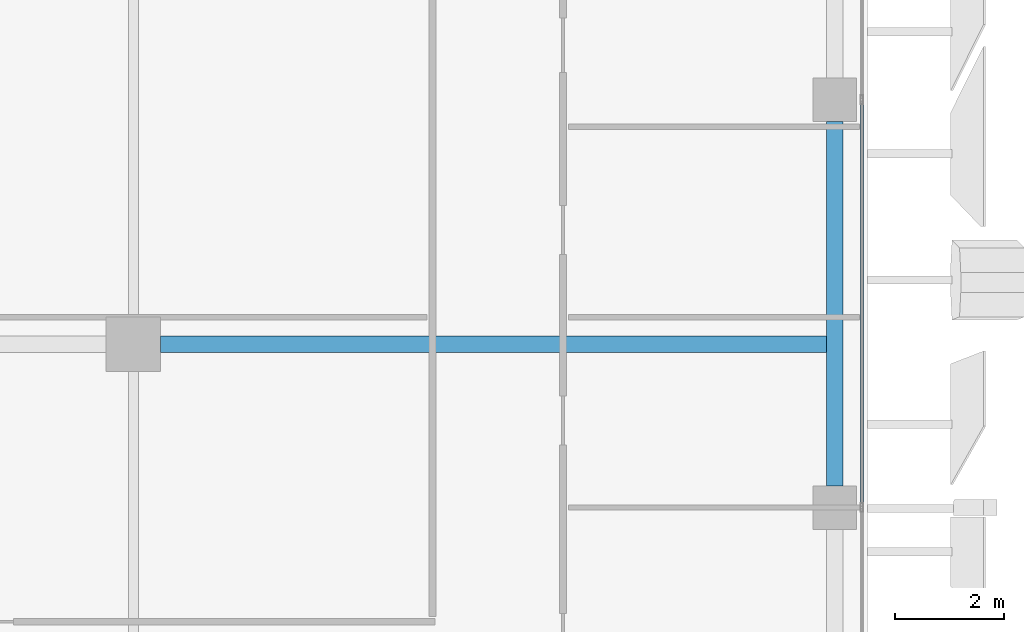
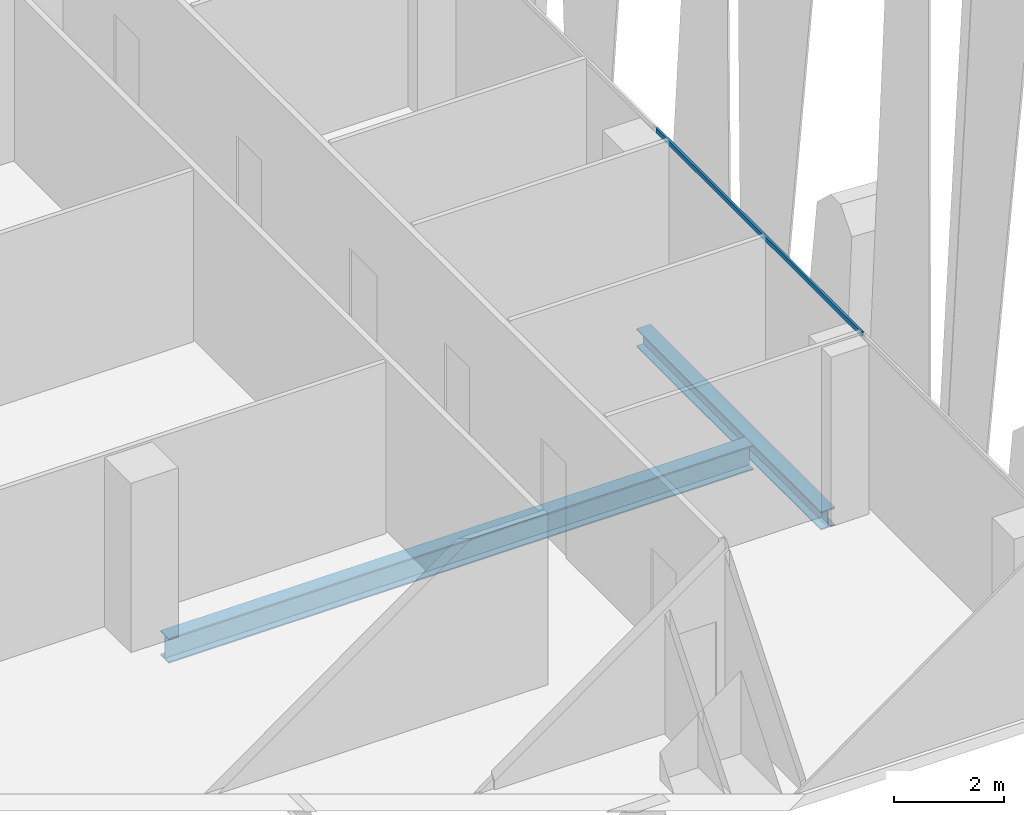
# One storey, part 10 of 33: 2 beams, 1 member, 1 element without a shape of its own.
"""IFC4 building model written with IfcOpenShell, lengths in metres."""

from ifc_helpers import new_model, si_unit, direction, frame, origin, origin_2d, place, context, subcontext, project, spatial, hollow_rectangle, i_section, extrude, source, transform, mapped, material, material_profile, profile_set, type_object, element, aggregate, save


model = new_model("IFC4")

# Units and contexts
model_context = context("Model", 3, precision=1e-05, world=origin(), true_north=direction((0.0, 1.0)))
body_context = subcontext(model_context, "Body", "Model", "MODEL_VIEW")
ifc_project = project(units=[si_unit("LENGTHUNIT", "METRE"), si_unit("AREAUNIT", "SQUARE_METRE"), si_unit("VOLUMEUNIT", "CUBIC_METRE"), si_unit("PLANEANGLEUNIT", "RADIAN"), si_unit("MASSUNIT", "GRAM", prefix="KILO")], contexts=[model_context])

# Site, building, storey
site_placement = place(None, origin())
site = spatial("IfcSite", under=ifc_project, at=site_placement, CompositionType="ELEMENT")
building_placement = place(site_placement, origin())
building = spatial("IfcBuilding", under=site, at=building_placement, Name="Khomas Fold Tower", CompositionType="ELEMENT")
storey_placement = place(building_placement, frame((0.0, 0.0, 294.199951171875)))
storey = spatial("IfcBuildingStorey", under=building, at=storey_placement, Name="L66", CompositionType="ELEMENT", Elevation=294.199951171875)

# Beams
ifc_material_1 = material(Name="Steel S355", Category="steel")
ifc_material_profile_1 = material_profile(ifc_material_1, i_section(OverallWidth=0.300048828125, OverallDepth=0.39990234375, WebThickness=0.013427734375, FlangeThickness=0.02392578125, at=origin_2d()), Name="HE 400 B")
ifc_profile_set_1 = profile_set([ifc_material_profile_1], Name="Steel S355")
beam_type_1 = type_object("IfcBeamType", Name="HE 400 B spandrel SB5", PredefinedType="SPANDREL", material=ifc_profile_set_1)
shared_shape_1 = source(origin(), body_context, "Body", "SweptSolid", [
    extrude(i_section(OverallWidth=0.300048828125, OverallDepth=0.39990234375, WebThickness=0.013427734375, FlangeThickness=0.02392578125, at=origin_2d()), origin(), (0.0, 0.0, 1.0), 6.7001953125),
])
beam_1_placement = place(storey_placement, frame((47.39990234375, 19.89990234375, -0.449951171875), z_axis=(0.0, 1.0, 0.0), x_axis=(-1.0, 0.0, 0.0)))
element("IfcBeam", 1, at=beam_1_placement, inside=storey, type_object=beam_type_1, Name="SB5", PredefinedType="SPANDREL", context=body_context, shape_type="MappedRepresentation", body=[
    mapped(shared_shape_1, transform((0.0, 0.0, 0.0))),
])
ifc_material_2 = material(Name="Steel S355", Category="steel")
ifc_material_profile_2 = material_profile(ifc_material_2, i_section(OverallWidth=0.300048828125, OverallDepth=0.550048828125, WebThickness=0.014892578125, FlangeThickness=0.029052734375, at=origin_2d()), Name="HE 550 B")
ifc_profile_set_2 = profile_set([ifc_material_profile_2], Name="Steel S355")
beam_type_2 = type_object("IfcBeamType", Name="HE 550 B beam GB4", PredefinedType="BEAM", material=ifc_profile_set_2)
shared_shape_2 = source(origin(), body_context, "Body", "SweptSolid", [
    extrude(i_section(OverallWidth=0.300048828125, OverallDepth=0.550048828125, WebThickness=0.014892578125, FlangeThickness=0.029052734375, at=origin_2d()), origin(), (0.0, 0.0, 1.0), 12.25),
])
beam_2_placement = place(storey_placement, frame((35.0, 22.5, -0.52490234375), z_axis=(1.0, 0.0, 0.0), x_axis=(0.0, 1.0, 0.0)))
element("IfcBeam", 2, at=beam_2_placement, inside=storey, type_object=beam_type_2, Name="GB4", PredefinedType="BEAM", context=body_context, shape_type="MappedRepresentation", body=[
    mapped(shared_shape_2, transform((0.0, 0.0, 0.0))),
])

# Curtain wall, member
ifc_material_3 = material(Name="Aluminium framed double glazing", Category="aluminium")
curtain_wall_type = type_object("IfcCurtainWallType", Name="SK-Unitised clear-glass wall, upper floors CW3", PredefinedType="NOTDEFINED", material=ifc_material_3)
curtain_wall_placement = place(storey_placement, origin())
curtain_wall = element("IfcCurtainWall", 3, at=curtain_wall_placement, inside=storey, type_object=curtain_wall_type, Name="CW3 run L66 03-0", PredefinedType="NOTDEFINED")
ifc_material_4 = material(Name="Aluminium", Category="aluminium")
ifc_material_profile_3 = material_profile(ifc_material_4, hollow_rectangle(XDim=0.050048828125, YDim=0.10009765625, WallThickness=0.00390625, at=origin_2d()), Name="SK-Unitised clear-glass wall, upper floors transom CW3-T")
ifc_profile_set_3 = profile_set([ifc_material_profile_3], Name="Aluminium")
member_type = type_object("IfcMemberType", Name="SK-Unitised clear-glass wall, upper floors transom CW3-T", PredefinedType="USERDEFINED", material=ifc_profile_set_3)
shared_shape_3 = source(origin(), body_context, "Body", "SweptSolid", [
    extrude(hollow_rectangle(XDim=0.050048828125, YDim=0.10009765625, WallThickness=0.00390625, at=origin_2d()), origin(), (0.0, 0.0, 1.0), 7.4501953125),
])
member_placement = place(storey_placement, frame((47.89990234375, 19.52490234375, 3.699951171875), z_axis=(0.0, 1.0, 0.0), x_axis=(-1.0, 0.0, 0.0)))
member = element("IfcMember", 4, at=member_placement, type_object=member_type, Name="CW3 transom 3", ObjectType="TRANSOM", PredefinedType="USERDEFINED", context=body_context, shape_type="MappedRepresentation", body=[
    mapped(shared_shape_3, transform((0.0, 0.0, 0.0))),
])
aggregate(curtain_wall, [member])

save(model, "model.ifc")
